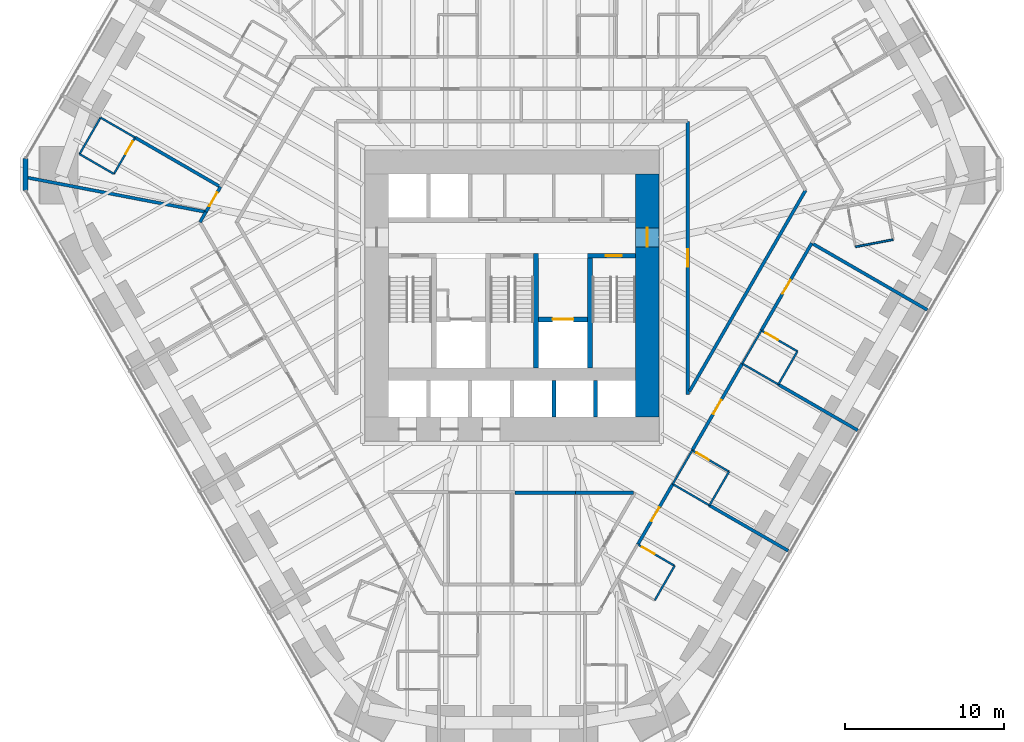
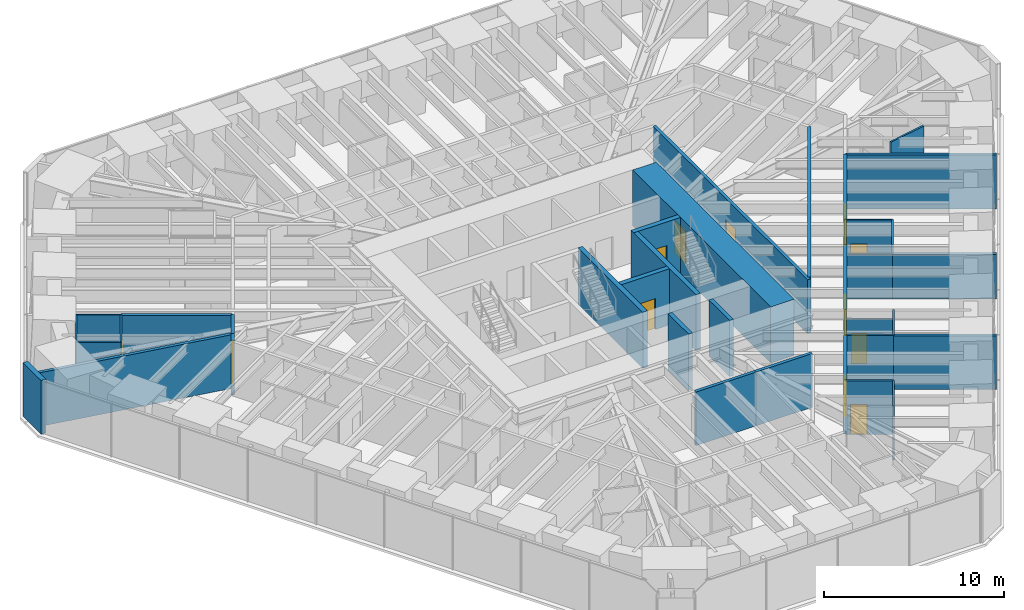
# One storey, part 13 of 17: 37 walls, 12 doors, 12 openings.
"""IFC4 building model written with IfcOpenShell, lengths in metres."""

from ifc_helpers import new_model, si_unit, direction, frame, frame_2d, origin, place, context, subcontext, project, spatial, rectangle, extrude, material, layer, layer_set, type_object, element, fill, save


model = new_model("IFC4")

# Units and contexts
model_context = context("Model", 3, precision=1e-05, world=origin(), true_north=direction((0.0, 1.0)))
body_context = subcontext(model_context, "Body", "Model", "MODEL_VIEW")
ifc_project = project(units=[si_unit("LENGTHUNIT", "METRE"), si_unit("AREAUNIT", "SQUARE_METRE"), si_unit("VOLUMEUNIT", "CUBIC_METRE"), si_unit("PLANEANGLEUNIT", "RADIAN"), si_unit("MASSUNIT", "GRAM", prefix="KILO")], contexts=[model_context])

# Site, building, storey
site_placement = place(None, origin())
site = spatial("IfcSite", under=ifc_project, at=site_placement, CompositionType="ELEMENT")
building_placement = place(site_placement, origin())
building = spatial("IfcBuilding", under=site, at=building_placement, Name="Sandreach Pilgrim Tower", CompositionType="ELEMENT")
storey_placement = place(building_placement, frame((0.0, 0.0, 61.0)))
storey = spatial("IfcBuildingStorey", under=building, at=storey_placement, Name="L14", CompositionType="ELEMENT", Elevation=61.0)

# Walls
ifc_material_1 = material(Name="Moisture-resistant gypsum board on steel studs", Category="steel")
ifc_layer_1 = layer(ifc_material_1, 0.1201171875)
ifc_layer_set_1 = layer_set([ifc_layer_1], Name="Bathroom partition 120")
wall_type_1 = type_object("IfcWallType", Name="Bathroom partition 120", PredefinedType="PARTITIONING", material=ifc_layer_set_1)
wall_1_placement = place(storey_placement, frame((-27.179931640625, 7.340087890625, 0.0), z_axis=(0.0, 0.0, 1.0), x_axis=(0.865508881864, -0.500893576935, 0.0)))
element("IfcWall", 1, at=wall_1_placement, inside=storey, type_object=wall_type_1, Name="Bathroom partition L14-003", PredefinedType="PARTITIONING", context=body_context, shape_type="SweptSolid", body=[
    extrude(rectangle(XDim=2.49560546875, YDim=0.1201171875, at=frame_2d((1.247802734375, 0.0))), origin(), (0.0, 0.0, 1.0), 3.639892578125),
])
wall_2_placement = place(storey_placement, frame((-25.860107421875, 9.6298828125, 0.0), z_axis=(0.0, 0.0, 1.0), x_axis=(-0.499378545839, -0.866383903334, 0.0)))
element("IfcWall", 2, at=wall_2_placement, inside=storey, type_object=wall_type_1, Name="Bathroom partition L14-004", PredefinedType="PARTITIONING", context=body_context, shape_type="SweptSolid", body=[
    extrude(rectangle(XDim=2.642822265625, YDim=0.1201171875, at=frame_2d((1.3212890625, 0.0))), origin(), (0.0, 0.0, 1.0), 3.639892578125),
])
wall_3_placement = place(storey_placement, frame((-25.860107421875, 9.6298828125, 0.0), z_axis=(0.0, 0.0, 1.0), x_axis=(0.86653430447, -0.499117520406, 0.0)))
element("IfcWall", 3, at=wall_3_placement, inside=storey, type_object=wall_type_1, Name="Bathroom partition L14-005", PredefinedType="PARTITIONING", context=body_context, shape_type="SweptSolid", body=[
    extrude(rectangle(XDim=2.50439453125, YDim=0.1201171875, at=frame_2d((1.252197265625, 0.0))), origin(), (0.0, 0.0, 1.0), 3.639892578125),
])

# Wall, opening, door
wall_4_placement = place(storey_placement, frame((-25.02001953125, 6.090087890625, 0.0), z_axis=(0.0, 0.0, 1.0), x_axis=(0.502282305835, 0.864703697948, 0.0)))
wall_4 = element("IfcWall", 4, at=wall_4_placement, inside=storey, type_object=wall_type_1, Name="Bathroom partition L14-006", PredefinedType="PARTITIONING", context=body_context, shape_type="SweptSolid", body=[
    extrude(rectangle(XDim=2.64794921875, YDim=0.1201171875, at=frame_2d((1.323974609375, 0.0))), origin(), (0.0, 0.0, 1.0), 3.639892578125),
])
opening_1_placement = place(wall_4_placement, frame((1.4482421875, 0.0, 0.0)))
opening_1 = element("IfcOpeningElement", 5, at=opening_1_placement, cuts=wall_4, Name="Opening D09-18B", PredefinedType="OPENING", context=body_context, shape_type="SweptSolid", body=[
    extrude(rectangle(XDim=0.89990234375, YDim=2.030029296875, at=frame_2d((0.449951171875, 1.01513671875))), frame((0.0, 0.06005859375, 0.0), z_axis=(0.0, -1.0, 0.0), x_axis=(1.0, 0.0, 0.0)), (0.0, 0.0, 1.0), 0.1201171875),
])
ifc_material_2 = material(Name="Timber door, steel frame", Category="steel")
door_type_1 = type_object("IfcDoorType", Name="Bathroom door", OperationType="SINGLE_SWING_LEFT", PredefinedType="DOOR", material=ifc_material_2)
door_1_placement = place(opening_1_placement, origin())
door_1 = element("IfcDoor", 6, at=door_1_placement, inside=storey, type_object=door_type_1, Name="Door 1418B", OperationType="SINGLE_SWING_RIGHT", OverallHeight=2.030029296875, OverallWidth=0.89990234375, PredefinedType="DOOR", context=body_context, shape_type="SweptSolid", body=[
    extrude(rectangle(XDim=0.89990234375, YDim=2.030029296875, at=frame_2d((0.449951171875, 1.01513671875))), frame((0.0, 0.02490234375, 0.0), z_axis=(0.0, -1.0, 0.0), x_axis=(1.0, 0.0, 0.0)), (0.0, 0.0, 1.0), 0.050048828125),
])
fill(opening_1, door_1)

# Walls
wall_5_placement = place(storey_placement, frame((8.969970703125, -20.7099609375, 0.0), z_axis=(0.0, 0.0, 1.0), x_axis=(0.499159685399, 0.866510016372, 0.0)))
element("IfcWall", 7, at=wall_5_placement, inside=storey, type_object=wall_type_1, Name="Bathroom partition L14-115", PredefinedType="PARTITIONING", context=body_context, shape_type="SweptSolid", body=[
    extrude(rectangle(XDim=2.504150390625, YDim=0.1201171875, at=frame_2d((1.251953125, 0.0))), origin(), (0.0, 0.0, 1.0), 3.639892578125),
])
wall_6_placement = place(storey_placement, frame((10.10009765625, -13.39990234375, 0.0), z_axis=(0.0, 0.0, 1.0), x_axis=(0.501856726365, 0.86495076519, 0.0)))
element("IfcWall", 8, at=wall_6_placement, inside=storey, type_object=wall_type_1, Name="Bathroom partition L14-121", PredefinedType="PARTITIONING", context=body_context, shape_type="SweptSolid", body=[
    extrude(rectangle(XDim=2.450927734375, YDim=0.1201171875, at=frame_2d((1.2255859375, 0.0))), origin(), (0.0, 0.0, 1.0), 3.639892578125),
])
wall_7_placement = place(storey_placement, frame((10.10009765625, -13.39990234375, 0.0), z_axis=(0.0, 0.0, 1.0), x_axis=(0.864966903181, -0.501828911485, 0.0)))
element("IfcWall", 9, at=wall_7_placement, inside=storey, type_object=wall_type_1, Name="Bathroom partition L14-122", PredefinedType="PARTITIONING", context=body_context, shape_type="SweptSolid", body=[
    extrude(rectangle(XDim=2.67041015625, YDim=0.1201171875, at=frame_2d((1.335205078125, 0.0))), origin(), (0.0, 0.0, 1.0), 3.639892578125),
])

# Wall, opening, door
wall_8_placement = place(storey_placement, frame((10.219970703125, -18.5400390625, 0.0), z_axis=(0.0, 0.0, 1.0), x_axis=(-0.86498992408, 0.501789229896, 0.0)))
wall_8 = element("IfcWall", 10, at=wall_8_placement, inside=storey, type_object=wall_type_1, Name="Bathroom partition L14-124", PredefinedType="PARTITIONING", context=body_context, shape_type="SweptSolid", body=[
    extrude(rectangle(XDim=2.670654296875, YDim=0.1201171875, at=frame_2d((1.33544921875, 0.0))), origin(), (0.0, 0.0, 1.0), 3.639892578125),
])
opening_2_placement = place(wall_8_placement, frame((1.470458984375, 0.0, 0.0)))
opening_2 = element("IfcOpeningElement", 11, at=opening_2_placement, cuts=wall_8, Name="Opening D09-10B", PredefinedType="OPENING", context=body_context, shape_type="SweptSolid", body=[
    extrude(rectangle(XDim=0.89990234375, YDim=2.030029296875, at=frame_2d((0.449951171875, 1.01513671875))), frame((0.0, 0.06005859375, 0.0), z_axis=(0.0, -1.0, 0.0), x_axis=(1.0, 0.0, 0.0)), (0.0, 0.0, 1.0), 0.1201171875),
])
door_2_placement = place(opening_2_placement, origin())
door_2 = element("IfcDoor", 12, at=door_2_placement, inside=storey, type_object=door_type_1, Name="Door 1410B", OperationType="SINGLE_SWING_RIGHT", OverallHeight=2.030029296875, OverallWidth=0.89990234375, PredefinedType="DOOR", context=body_context, shape_type="SweptSolid", body=[
    extrude(rectangle(XDim=0.89990234375, YDim=2.030029296875, at=frame_2d((0.449951171875, 1.01513671875))), frame((0.0, 0.02490234375, 0.0), z_axis=(0.0, -1.0, 0.0), x_axis=(1.0, 0.0, 0.0)), (0.0, 0.0, 1.0), 0.050048828125),
])
fill(opening_2, door_2)

# Wall
wall_9_placement = place(storey_placement, frame((12.409912109375, -14.739990234375, 0.0), z_axis=(0.0, 0.0, 1.0), x_axis=(0.501813488763, 0.864975850817, 0.0)))
element("IfcWall", 13, at=wall_9_placement, inside=storey, type_object=wall_type_1, Name="Bathroom partition L14-132", PredefinedType="PARTITIONING", context=body_context, shape_type="SweptSolid", body=[
    extrude(rectangle(XDim=2.451171875, YDim=0.1201171875, at=frame_2d((1.2255859375, 0.0))), origin(), (0.0, 0.0, 1.0), 3.639892578125),
])

# Wall, opening, door
wall_10_placement = place(storey_placement, frame((13.639892578125, -12.6201171875, 0.0), z_axis=(0.0, 0.0, 1.0), x_axis=(-0.864966903181, 0.501828911485, 0.0)))
wall_10 = element("IfcWall", 14, at=wall_10_placement, inside=storey, type_object=wall_type_1, Name="Bathroom partition L14-133", PredefinedType="PARTITIONING", context=body_context, shape_type="SweptSolid", body=[
    extrude(rectangle(XDim=2.67041015625, YDim=0.1201171875, at=frame_2d((1.335205078125, 0.0))), origin(), (0.0, 0.0, 1.0), 3.0380859375),
])
opening_3_placement = place(wall_10_placement, frame((1.470458984375, 0.0, 0.0)))
opening_3 = element("IfcOpeningElement", 15, at=opening_3_placement, cuts=wall_10, Name="Opening D09-09B", PredefinedType="OPENING", context=body_context, shape_type="SweptSolid", body=[
    extrude(rectangle(XDim=0.89990234375, YDim=2.030029296875, at=frame_2d((0.449951171875, 1.01513671875))), frame((0.0, 0.06005859375, 0.0), z_axis=(0.0, -1.0, 0.0), x_axis=(1.0, 0.0, 0.0)), (0.0, 0.0, 1.0), 0.1201171875),
])
door_3_placement = place(opening_3_placement, origin())
door_3 = element("IfcDoor", 16, at=door_3_placement, inside=storey, type_object=door_type_1, Name="Door 1409B", OperationType="SINGLE_SWING_RIGHT", OverallHeight=2.030029296875, OverallWidth=0.89990234375, PredefinedType="DOOR", context=body_context, shape_type="SweptSolid", body=[
    extrude(rectangle(XDim=0.89990234375, YDim=2.030029296875, at=frame_2d((0.449951171875, 1.01513671875))), frame((0.0, 0.02490234375, 0.0), z_axis=(0.0, -1.0, 0.0), x_axis=(1.0, 0.0, 0.0)), (0.0, 0.0, 1.0), 0.050048828125),
])
fill(opening_3, door_3)

# Walls
wall_11_placement = place(storey_placement, frame((14.469970703125, -5.830078125, 0.0), z_axis=(0.0, 0.0, 1.0), x_axis=(0.499693115345, 0.866202511239, 0.0)))
element("IfcWall", 17, at=wall_11_placement, inside=storey, type_object=wall_type_1, Name="Bathroom partition L14-134", PredefinedType="PARTITIONING", context=body_context, shape_type="SweptSolid", body=[
    extrude(rectangle(XDim=2.4013671875, YDim=0.1201171875, at=frame_2d((1.20068359375, 0.0))), origin(), (0.0, 0.0, 1.0), 3.639892578125),
])
wall_12_placement = place(storey_placement, frame((14.469970703125, -5.830078125, 0.0), z_axis=(0.0, 0.0, 1.0), x_axis=(0.866010296064, -0.500026166427, 0.0)))
element("IfcWall", 18, at=wall_12_placement, inside=storey, type_object=wall_type_1, Name="Bathroom partition L14-135", PredefinedType="PARTITIONING", context=body_context, shape_type="SweptSolid", body=[
    extrude(rectangle(XDim=2.620849609375, YDim=0.1201171875, at=frame_2d((1.310546875, 0.0))), origin(), (0.0, 0.0, 1.0), 3.022705078125),
])
wall_13_placement = place(storey_placement, frame((16.739990234375, -7.139892578125, 0.0), z_axis=(0.0, 0.0, 1.0), x_axis=(0.499737123639, 0.866177122335, 0.0)))
element("IfcWall", 19, at=wall_13_placement, inside=storey, type_object=wall_type_1, Name="Bathroom partition L14-141", PredefinedType="PARTITIONING", context=body_context, shape_type="SweptSolid", body=[
    extrude(rectangle(XDim=2.401123046875, YDim=0.1201171875, at=frame_2d((1.20068359375, 0.0))), origin(), (0.0, 0.0, 1.0), 3.639892578125),
])

# Wall, opening, door
wall_14_placement = place(storey_placement, frame((17.93994140625, -5.06005859375, 0.0), z_axis=(0.0, 0.0, 1.0), x_axis=(-0.866114241029, 0.499846097802, 0.0)))
wall_14 = element("IfcWall", 20, at=wall_14_placement, inside=storey, type_object=wall_type_1, Name="Bathroom partition L14-147", PredefinedType="PARTITIONING", context=body_context, shape_type="SweptSolid", body=[
    extrude(rectangle(XDim=2.620849609375, YDim=0.1201171875, at=frame_2d((1.310546875, 0.0))), origin(), (0.0, 0.0, 1.0), 3.639892578125),
])
opening_4_placement = place(wall_14_placement, frame((1.4208984375, 0.0, 0.0)))
opening_4 = element("IfcOpeningElement", 21, at=opening_4_placement, cuts=wall_14, Name="Opening D09-08B", PredefinedType="OPENING", context=body_context, shape_type="SweptSolid", body=[
    extrude(rectangle(XDim=0.89990234375, YDim=2.030029296875, at=frame_2d((0.449951171875, 1.01513671875))), frame((0.0, 0.06005859375, 0.0), z_axis=(0.0, -1.0, 0.0), x_axis=(1.0, 0.0, 0.0)), (0.0, 0.0, 1.0), 0.1201171875),
])
door_4_placement = place(opening_4_placement, origin())
door_4 = element("IfcDoor", 22, at=door_4_placement, inside=storey, type_object=door_type_1, Name="Door 1408B", OperationType="SINGLE_SWING_RIGHT", OverallHeight=2.030029296875, OverallWidth=0.89990234375, PredefinedType="DOOR", context=body_context, shape_type="SweptSolid", body=[
    extrude(rectangle(XDim=0.89990234375, YDim=2.030029296875, at=frame_2d((0.449951171875, 1.01513671875))), frame((0.0, 0.02490234375, 0.0), z_axis=(0.0, -1.0, 0.0), x_axis=(1.0, 0.0, 0.0)), (0.0, 0.0, 1.0), 0.050048828125),
])
fill(opening_4, door_4)

# Walls
wall_15_placement = place(storey_placement, frame((21.590087890625, 1.510009765625, 0.0), z_axis=(0.0, 0.0, 1.0), x_axis=(0.982303859288, 0.187294228499, 0.0)))
element("IfcWall", 23, at=wall_15_placement, inside=storey, type_object=wall_type_1, Name="Bathroom partition L14-159", PredefinedType="PARTITIONING", context=body_context, shape_type="SweptSolid", body=[
    extrude(rectangle(XDim=2.40234375, YDim=0.1201171875, at=frame_2d((1.201171875, 0.0))), origin(), (0.0, 0.0, 1.0), 3.639892578125),
])
ifc_material_3 = material(Name="Concrete 10000 psi", Category="concrete")
ifc_layer_2 = layer(ifc_material_3, 0.300048828125)
ifc_layer_set_2 = layer_set([ifc_layer_2], Name="Core inner wall 300")
wall_type_2 = type_object("IfcWallType", Name="Core inner wall 300", PredefinedType="SHEAR", material=ifc_layer_set_2)
for number, where, z_axis, x_axis, name in (
    (24, (1.5, -6.10009765625, 0.0), (0.0, 0.0, 1.0), (0.0, 1.0, 0.0), "Core wall I2 L14"),
    (25, (4.89990234375, -6.10009765625, 0.0), (0.0, 0.0, 1.0), (0.0, 1.0, 0.0), "Core wall I3 L14"),
):
    element("IfcWall", number, at=place(storey_placement, frame(where, z_axis=z_axis, x_axis=x_axis)), inside=storey, type_object=wall_type_2, Name=name, PredefinedType="SHEAR", context=body_context, shape_type="SweptSolid", body=[
        extrude(rectangle(XDim=7.2001953125, YDim=0.300048828125, at=frame_2d((3.60009765625, 0.0))), origin(), (0.0, 0.0, 1.0), 3.800048828125),
    ])

# Wall, opening, door
wall_16_placement = place(storey_placement, frame((4.75, 0.949951171875, 0.0), z_axis=(0.0, 0.0, 1.0), x_axis=(1.0, 0.0, 0.0)))
wall_16 = element("IfcWall", 26, at=wall_16_placement, inside=storey, type_object=wall_type_2, Name="Core wall SN2 L14", PredefinedType="SHEAR", context=body_context, shape_type="SweptSolid", body=[
    extrude(rectangle(XDim=3.0, YDim=0.300048828125, at=frame_2d((1.5, 0.0))), origin(), (0.0, 0.0, 1.0), 3.800048828125),
])
opening_5_placement = place(wall_16_placement, frame((1.14990234375, 0.0, 0.0)))
opening_5 = element("IfcOpeningElement", 27, at=opening_5_placement, cuts=wall_16, Name="Opening D10S-ST2", PredefinedType="OPENING", context=body_context, shape_type="SweptSolid", body=[
    extrude(rectangle(XDim=1.0, YDim=2.199951171875, at=frame_2d((0.5, 1.10009765625))), frame((0.0, 0.14990234375, 0.0), z_axis=(0.0, -1.0, 0.0), x_axis=(1.0, 0.0, 0.0)), (0.0, 0.0, 1.0), 0.300048828125),
])
ifc_material_4 = material(Name="Steel door and frame", Category="steel")
door_type_2 = type_object("IfcDoorType", Name="Stair door", OperationType="SINGLE_SWING_LEFT", PredefinedType="DOOR", material=ifc_material_4)
door_5_placement = place(opening_5_placement, origin())
door_5 = element("IfcDoor", 28, at=door_5_placement, inside=storey, type_object=door_type_2, Name="Stair door ST2 L14", OperationType="SINGLE_SWING_RIGHT", OverallHeight=2.199951171875, OverallWidth=1.0, PredefinedType="DOOR", context=body_context, shape_type="SweptSolid", body=[
    extrude(rectangle(XDim=1.0, YDim=2.199951171875, at=frame_2d((0.5, 1.10009765625))), frame((0.0, 0.02490234375, 0.0), z_axis=(0.0, -1.0, 0.0), x_axis=(1.0, 0.0, 0.0)), (0.0, 0.0, 1.0), 0.050048828125),
])
fill(opening_5, door_5)

wall_17_placement = place(storey_placement, frame((1.64990234375, -3.050048828125, 0.0), z_axis=(0.0, 0.0, 1.0), x_axis=(1.0, 0.0, 0.0)))
wall_17 = element("IfcWall", 29, at=wall_17_placement, inside=storey, type_object=wall_type_2, Name="Core wall FL2 L14", PredefinedType="SHEAR", context=body_context, shape_type="SweptSolid", body=[
    extrude(rectangle(XDim=3.10009765625, YDim=0.300048828125, at=frame_2d((1.550048828125, 0.0))), origin(), (0.0, 0.0, 1.0), 3.800048828125),
])
opening_6_placement = place(wall_17_placement, frame((0.89990234375, 0.0, 0.0)))
opening_6 = element("IfcOpeningElement", 30, at=opening_6_placement, cuts=wall_17, Name="Opening LD13", PredefinedType="OPENING", context=body_context, shape_type="SweptSolid", body=[
    extrude(rectangle(XDim=1.300048828125, YDim=2.10009765625, at=frame_2d((0.64990234375, 1.050048828125))), frame((0.0, 0.14990234375, 0.0), z_axis=(0.0, -1.0, 0.0), x_axis=(1.0, 0.0, 0.0)), (0.0, 0.0, 1.0), 0.300048828125),
])
ifc_material_5 = material(Name="Steel door and frame", Category="steel")
door_type_3 = type_object("IfcDoorType", Name="Fire service lift landing door", OperationType="DOUBLE_DOOR_SLIDING", PredefinedType="DOOR", material=ifc_material_5)
door_6_placement = place(opening_6_placement, origin())
door_6 = element("IfcDoor", 31, at=door_6_placement, inside=storey, type_object=door_type_3, Name="Lift landing door FS2 L14", OperationType="DOUBLE_DOOR_SLIDING", OverallHeight=2.10009765625, OverallWidth=1.300048828125, PredefinedType="DOOR", context=body_context, shape_type="SweptSolid", body=[
    extrude(rectangle(XDim=1.300048828125, YDim=2.10009765625, at=frame_2d((0.64990234375, 1.050048828125))), frame((0.0, 0.02490234375, 0.0), z_axis=(0.0, -1.0, 0.0), x_axis=(1.0, 0.0, 0.0)), (0.0, 0.0, 1.0), 0.050048828125),
])
fill(opening_6, door_6)

ifc_material_6 = material(Name="Concrete 10000 psi", Category="concrete")
ifc_layer_3 = layer(ifc_material_6, 1.5)
ifc_layer_set_3 = layer_set([ifc_layer_3], Name="Core wall 1500")
wall_type_3 = type_object("IfcWallType", Name="Core wall 1500", PredefinedType="SHEAR", material=ifc_layer_set_3)
wall_18_placement = place(storey_placement, frame((8.5, -9.199951171875, 0.0), z_axis=(0.0, 0.0, 1.0), x_axis=(0.0, 1.0, 0.0)))
wall_18 = element("IfcWall", 32, at=wall_18_placement, inside=storey, type_object=wall_type_3, Name="Core wall E L14", PredefinedType="SHEAR", context=body_context, shape_type="SweptSolid", body=[
    extrude(rectangle(XDim=15.300048828125, YDim=1.5, at=frame_2d((7.64990234375, 0.0))), origin(), (0.0, 0.0, 1.0), 3.800048828125),
])
opening_7_placement = place(wall_18_placement, frame((10.699951171875, 0.0, 0.0)))
opening_7 = element("IfcOpeningElement", 33, at=opening_7_placement, cuts=wall_18, Name="Opening D12F-E", PredefinedType="OPENING", context=body_context, shape_type="SweptSolid", body=[
    extrude(rectangle(XDim=1.199951171875, YDim=2.199951171875, at=frame_2d((0.60009765625, 1.10009765625))), frame((0.0, 0.75, 0.0), z_axis=(0.0, -1.0, 0.0), x_axis=(1.0, 0.0, 0.0)), (0.0, 0.0, 1.0), 1.5),
])
ifc_material_7 = material(Name="Steel door and frame", Category="steel")
door_type_4 = type_object("IfcDoorType", Name="Fire lobby door", OperationType="SINGLE_SWING_LEFT", PredefinedType="DOOR", material=ifc_material_7)
door_7_placement = place(opening_7_placement, origin())
door_7 = element("IfcDoor", 34, at=door_7_placement, inside=storey, type_object=door_type_4, Name="Fire service lobby door E L14", OperationType="SINGLE_SWING_RIGHT", OverallHeight=2.199951171875, OverallWidth=1.199951171875, PredefinedType="DOOR", context=body_context, shape_type="SweptSolid", body=[
    extrude(rectangle(XDim=1.199951171875, YDim=2.199951171875, at=frame_2d((0.60009765625, 1.10009765625))), frame((0.0, 0.02490234375, 0.0), z_axis=(0.0, -1.0, 0.0), x_axis=(1.0, 0.0, 0.0)), (0.0, 0.0, 1.0), 0.050048828125),
])
fill(opening_7, door_7)

# Wall
ifc_material_8 = material(Name="Gypsum board on steel studs, two layers each side", Category="steel")
ifc_layer_4 = layer(ifc_material_8, 0.199951171875)
ifc_layer_set_4 = layer_set([ifc_layer_4], Name="Corridor wall 200")
wall_type_4 = type_object("IfcWallType", Name="Corridor wall 200", PredefinedType="PARTITIONING", material=ifc_layer_set_4)
wall_19_placement = place(storey_placement, frame((-19.610107421875, 3.06005859375, 0.0), z_axis=(0.0, 0.0, 1.0), x_axis=(0.50068472101, 0.865629718844, 0.0)))
element("IfcWall", 35, at=wall_19_placement, inside=storey, type_object=wall_type_4, Name="Corridor wall L14-012", PredefinedType="PARTITIONING", context=body_context, shape_type="SweptSolid", body=[
    extrude(rectangle(XDim=0.7392578125, YDim=0.199951171875, at=frame_2d((0.36962890625, 0.0))), origin(), (0.0, 0.0, 1.0), 3.639892578125),
])

# Wall, opening, door
wall_20_placement = place(storey_placement, frame((-18.320068359375, 5.280029296875, 0.0), z_axis=(0.0, 0.0, 1.0), x_axis=(-0.503140236709, -0.864204780249, 0.0)))
wall_20 = element("IfcWall", 36, at=wall_20_placement, inside=storey, type_object=wall_type_4, Name="Corridor wall L14-018", PredefinedType="PARTITIONING", context=body_context, shape_type="SweptSolid", body=[
    extrude(rectangle(XDim=1.828369140625, YDim=0.199951171875, at=frame_2d((0.9140625, 0.0))), origin(), (0.0, 0.0, 1.0), 3.639892578125),
])
opening_8_placement = place(wall_20_placement, frame((0.4140625, 0.0, 0.0)))
opening_8 = element("IfcOpeningElement", 37, at=opening_8_placement, cuts=wall_20, Name="Opening D10-18", PredefinedType="OPENING", context=body_context, shape_type="SweptSolid", body=[
    extrude(rectangle(XDim=1.0, YDim=2.1298828125, at=frame_2d((0.5, 1.06494140625))), frame((0.0, 0.10009765625, 0.0), z_axis=(0.0, -1.0, 0.0), x_axis=(1.0, 0.0, 0.0)), (0.0, 0.0, 1.0), 0.199951171875),
])
ifc_material_9 = material(Name="Steel door and frame", Category="steel")
door_type_5 = type_object("IfcDoorType", Name="Guest room entry door", OperationType="SINGLE_SWING_LEFT", PredefinedType="DOOR", material=ifc_material_9)
door_8_placement = place(opening_8_placement, origin())
door_8 = element("IfcDoor", 38, at=door_8_placement, inside=storey, type_object=door_type_5, Name="Door 1418", OperationType="SINGLE_SWING_LEFT", OverallHeight=2.1298828125, OverallWidth=1.0, PredefinedType="DOOR", context=body_context, shape_type="SweptSolid", body=[
    extrude(rectangle(XDim=1.0, YDim=2.1298828125, at=frame_2d((0.5, 1.06494140625))), frame((0.0, 0.02490234375, 0.0), z_axis=(0.0, -1.0, 0.0), x_axis=(1.0, 0.0, 0.0)), (0.0, 0.0, 1.0), 0.050048828125),
])
fill(opening_8, door_8)

# Walls
wall_21_placement = place(storey_placement, frame((0.179931640625, -13.949951171875, 0.0), z_axis=(0.0, 0.0, 1.0), x_axis=(1.0, 0.0, 0.0)))
element("IfcWall", 39, at=wall_21_placement, inside=storey, type_object=wall_type_4, Name="Corridor wall L14-087", PredefinedType="PARTITIONING", context=body_context, shape_type="SweptSolid", body=[
    extrude(rectangle(XDim=3.820068359375, YDim=0.199951171875, at=frame_2d((1.91015625, 0.0))), origin(), (0.0, 0.0, 1.0), 3.639892578125),
])
wall_22_placement = place(storey_placement, frame((4.0, -13.949951171875, 0.0), z_axis=(0.0, 0.0, 1.0), x_axis=(1.0, 0.0, 0.0)))
element("IfcWall", 40, at=wall_22_placement, inside=storey, type_object=wall_type_4, Name="Corridor wall L14-094", PredefinedType="PARTITIONING", context=body_context, shape_type="SweptSolid", body=[
    extrude(rectangle(XDim=3.635009765625, YDim=0.199951171875, at=frame_2d((1.8173828125, 0.0))), origin(), (0.0, 0.0, 1.0), 3.639892578125),
])

# Wall, opening, door
wall_23_placement = place(storey_placement, frame((7.908203125, -17.198974609375, 0.0), z_axis=(0.0, 0.0, 1.0), x_axis=(0.49974333473, 0.866173538844, 0.0)))
wall_23 = element("IfcWall", 41, at=wall_23_placement, inside=storey, type_object=wall_type_4, Name="Corridor wall L14-114", PredefinedType="PARTITIONING", context=body_context, shape_type="SweptSolid", body=[
    extrude(rectangle(XDim=4.385986328125, YDim=0.199951171875, at=frame_2d((2.19287109375, 0.0))), origin(), (0.0, 0.0, 1.0), 3.639892578125),
])
opening_9_placement = place(wall_23_placement, frame((1.69287109375, 0.0, 0.0)))
opening_9 = element("IfcOpeningElement", 42, at=opening_9_placement, cuts=wall_23, Name="Opening D10-10", PredefinedType="OPENING", context=body_context, shape_type="SweptSolid", body=[
    extrude(rectangle(XDim=1.0, YDim=2.1298828125, at=frame_2d((0.5, 1.06494140625))), frame((0.0, 0.10009765625, 0.0), z_axis=(0.0, -1.0, 0.0), x_axis=(1.0, 0.0, 0.0)), (0.0, 0.0, 1.0), 0.199951171875),
])
door_9_placement = place(opening_9_placement, origin())
door_9 = element("IfcDoor", 43, at=door_9_placement, inside=storey, type_object=door_type_5, Name="Door 1410", OperationType="SINGLE_SWING_LEFT", OverallHeight=2.1298828125, OverallWidth=1.0, PredefinedType="DOOR", context=body_context, shape_type="SweptSolid", body=[
    extrude(rectangle(XDim=1.0, YDim=2.1298828125, at=frame_2d((0.5, 1.06494140625))), frame((0.0, 0.02490234375, 0.0), z_axis=(0.0, -1.0, 0.0), x_axis=(1.0, 0.0, 0.0)), (0.0, 0.0, 1.0), 0.050048828125),
])
fill(opening_9, door_9)

wall_24_placement = place(storey_placement, frame((11.050048828125, -7.760009765625, 0.0), z_axis=(0.0, 0.0, 1.0), x_axis=(0.0, 1.0, 0.0)))
wall_24 = element("IfcWall", 44, at=wall_24_placement, inside=storey, type_object=wall_type_4, Name="Corridor wall L14-126", PredefinedType="PARTITIONING", context=body_context, shape_type="SweptSolid", body=[
    extrude(rectangle(XDim=17.159912109375, YDim=0.199951171875, at=frame_2d((8.580078125, 0.0))), origin(), (0.0, 0.0, 1.0), 3.639892578125),
])
opening_10_placement = place(wall_24_placement, frame((8.030029296875, 0.0, 0.0)))
opening_10 = element("IfcOpeningElement", 45, at=opening_10_placement, cuts=wall_24, Name="Opening D11H-M04", PredefinedType="OPENING", context=body_context, shape_type="SweptSolid", body=[
    extrude(rectangle(XDim=1.10009765625, YDim=2.199951171875, at=frame_2d((0.550048828125, 1.10009765625))), frame((0.0, 0.10009765625, 0.0), z_axis=(0.0, -1.0, 0.0), x_axis=(1.0, 0.0, 0.0)), (0.0, 0.0, 1.0), 0.199951171875),
])
ifc_material_10 = material(Name="Steel door and frame", Category="steel")
door_type_6 = type_object("IfcDoorType", Name="Back of house door", OperationType="SINGLE_SWING_LEFT", PredefinedType="DOOR", material=ifc_material_10)
door_10_placement = place(opening_10_placement, origin())
door_10 = element("IfcDoor", 46, at=door_10_placement, inside=storey, type_object=door_type_6, Name="Door 14M04", OperationType="SINGLE_SWING_LEFT", OverallHeight=2.199951171875, OverallWidth=1.10009765625, PredefinedType="DOOR", context=body_context, shape_type="SweptSolid", body=[
    extrude(rectangle(XDim=1.10009765625, YDim=2.199951171875, at=frame_2d((0.550048828125, 1.10009765625))), frame((0.0, 0.02490234375, 0.0), z_axis=(0.0, -1.0, 0.0), x_axis=(1.0, 0.0, 0.0)), (0.0, 0.0, 1.0), 0.050048828125),
])
fill(opening_10, door_10)

wall_25_placement = place(storey_placement, frame((11.327880859375, -11.27880859375, 0.0), z_axis=(0.0, 0.0, 1.0), x_axis=(0.499554430625, 0.866282500598, 0.0)))
wall_25 = element("IfcWall", 47, at=wall_25_placement, inside=storey, type_object=wall_type_4, Name="Corridor wall L14-127", PredefinedType="PARTITIONING", context=body_context, shape_type="SweptSolid", body=[
    extrude(rectangle(XDim=6.289794921875, YDim=0.199951171875, at=frame_2d((3.14501953125, 0.0))), origin(), (0.0, 0.0, 1.0), 3.639892578125),
])
opening_11_placement = place(wall_25_placement, frame((2.64501953125, 0.0, 0.0)))
opening_11 = element("IfcOpeningElement", 48, at=opening_11_placement, cuts=wall_25, Name="Opening D10-09", PredefinedType="OPENING", context=body_context, shape_type="SweptSolid", body=[
    extrude(rectangle(XDim=1.0, YDim=2.1298828125, at=frame_2d((0.5, 1.06494140625))), frame((0.0, 0.10009765625, 0.0), z_axis=(0.0, -1.0, 0.0), x_axis=(1.0, 0.0, 0.0)), (0.0, 0.0, 1.0), 0.199951171875),
])
door_11_placement = place(opening_11_placement, origin())
door_11 = element("IfcDoor", 49, at=door_11_placement, inside=storey, type_object=door_type_5, Name="Door 1409", OperationType="SINGLE_SWING_LEFT", OverallHeight=2.1298828125, OverallWidth=1.0, PredefinedType="DOOR", context=body_context, shape_type="SweptSolid", body=[
    extrude(rectangle(XDim=1.0, YDim=2.1298828125, at=frame_2d((0.5, 1.06494140625))), frame((0.0, 0.02490234375, 0.0), z_axis=(0.0, -1.0, 0.0), x_axis=(1.0, 0.0, 0.0)), (0.0, 0.0, 1.0), 0.050048828125),
])
fill(opening_11, door_11)

wall_26_placement = place(storey_placement, frame((15.669921875, -3.75, 0.0), z_axis=(0.0, 0.0, 1.0), x_axis=(0.500061360627, 0.865989974311, 0.0)))
wall_26 = element("IfcWall", 50, at=wall_26_placement, inside=storey, type_object=wall_type_4, Name="Corridor wall L14-137", PredefinedType="PARTITIONING", context=body_context, shape_type="SweptSolid", body=[
    extrude(rectangle(XDim=6.339599609375, YDim=0.199951171875, at=frame_2d((3.169921875, 0.0))), origin(), (0.0, 0.0, 1.0), 3.639892578125),
])
opening_12_placement = place(wall_26_placement, frame((2.669921875, 0.0, 0.0)))
opening_12 = element("IfcOpeningElement", 51, at=opening_12_placement, cuts=wall_26, Name="Opening D10-08", PredefinedType="OPENING", context=body_context, shape_type="SweptSolid", body=[
    extrude(rectangle(XDim=1.0, YDim=2.1298828125, at=frame_2d((0.5, 1.06494140625))), frame((0.0, 0.10009765625, 0.0), z_axis=(0.0, -1.0, 0.0), x_axis=(1.0, 0.0, 0.0)), (0.0, 0.0, 1.0), 0.199951171875),
])
door_12_placement = place(opening_12_placement, origin())
door_12 = element("IfcDoor", 52, at=door_12_placement, inside=storey, type_object=door_type_5, Name="Door 1408", OperationType="SINGLE_SWING_LEFT", OverallHeight=2.1298828125, OverallWidth=1.0, PredefinedType="DOOR", context=body_context, shape_type="SweptSolid", body=[
    extrude(rectangle(XDim=1.0, YDim=2.1298828125, at=frame_2d((0.5, 1.06494140625))), frame((0.0, 0.02490234375, 0.0), z_axis=(0.0, -1.0, 0.0), x_axis=(1.0, 0.0, 0.0)), (0.0, 0.0, 1.0), 0.050048828125),
])
fill(opening_12, door_12)

# Walls
wall_27_placement = place(storey_placement, frame((18.449951171875, 5.06005859375, 0.0), z_axis=(0.0, 0.0, 1.0), x_axis=(-0.499910730718, -0.866076937294, 0.0)))
element("IfcWall", 53, at=wall_27_placement, inside=storey, type_object=wall_type_4, Name="Corridor wall L14-148", PredefinedType="PARTITIONING", context=body_context, shape_type="SweptSolid", body=[
    extrude(rectangle(XDim=14.592529296875, YDim=0.199951171875, at=frame_2d((7.29638671875, 0.0))), origin(), (0.0, 0.0, 1.0), 3.639892578125),
])
ifc_material_11 = material(Name="Double steel stud acoustic wall, gypsum board", Category="steel")
ifc_layer_5 = layer(ifc_material_11, 0.199951171875)
ifc_layer_set_5 = layer_set([ifc_layer_5], Name="Party wall 200")
wall_type_5 = type_object("IfcWallType", Name="Party wall 200", PredefinedType="PARTITIONING", material=ifc_layer_set_5)
wall_28_placement = place(storey_placement, frame((-30.590576171875, 5.88427734375, 0.0), z_axis=(0.0, 0.0, 1.0), x_axis=(0.981983289605, -0.188967772219, 0.0)))
element("IfcWall", 54, at=wall_28_placement, inside=storey, type_object=wall_type_5, Name="Party wall L14-001", PredefinedType="PARTITIONING", context=body_context, shape_type="SweptSolid", body=[
    extrude(rectangle(XDim=11.5087890625, YDim=0.199951171875, at=frame_2d((5.75439453125, 0.0))), origin(), (0.0, 0.0, 1.0), 3.639892578125),
])
wall_29_placement = place(storey_placement, frame((-23.68994140625, 8.3798828125, 0.0), z_axis=(0.0, 0.0, 1.0), x_axis=(0.865658018331, -0.500635791068, 0.0)))
element("IfcWall", 55, at=wall_29_placement, inside=storey, type_object=wall_type_5, Name="Party wall L14-009", PredefinedType="PARTITIONING", context=body_context, shape_type="SweptSolid", body=[
    extrude(rectangle(XDim=6.1767578125, YDim=0.199951171875, at=frame_2d((3.08837890625, 0.0))), origin(), (0.0, 0.0, 1.0), 3.639892578125),
])
wall_30_placement = place(storey_placement, frame((16.73974609375, -7.140625, 0.0), z_axis=(0.0, 0.0, 1.0), x_axis=(0.865985044037, -0.500069898618, 0.0)))
element("IfcWall", 56, at=wall_30_placement, inside=storey, type_object=wall_type_5, Name="Party wall L14-140", PredefinedType="PARTITIONING", context=body_context, shape_type="SweptSolid", body=[
    extrude(rectangle(XDim=5.758056640625, YDim=0.199951171875, at=frame_2d((2.87890625, 0.0))), origin(), (0.0, 0.0, 1.0), 3.022705078125),
])
wall_31_placement = place(storey_placement, frame((17.35595703125, -17.590087890625, 0.0), z_axis=(0.0, 0.0, 1.0), x_axis=(-0.866442508333, 0.499276856818, 0.0)))
element("IfcWall", 57, at=wall_31_placement, inside=storey, type_object=wall_type_5, Name="Party wall L14-142", PredefinedType="PARTITIONING", context=body_context, shape_type="SweptSolid", body=[
    extrude(rectangle(XDim=5.70849609375, YDim=0.199951171875, at=frame_2d((2.854248046875, 0.0))), origin(), (0.0, 0.0, 1.0), 3.639892578125),
])
wall_32_placement = place(storey_placement, frame((26.09619140625, -2.449951171875, 0.0), z_axis=(0.0, 0.0, 1.0), x_axis=(-0.865997946826, 0.500047553832, 0.0)))
element("IfcWall", 58, at=wall_32_placement, inside=storey, type_object=wall_type_5, Name="Party wall L14-165", PredefinedType="PARTITIONING", context=body_context, shape_type="SweptSolid", body=[
    extrude(rectangle(XDim=8.364013671875, YDim=0.199951171875, at=frame_2d((4.18212890625, 0.0))), origin(), (0.0, 0.0, 1.0), 3.639892578125),
])
ifc_material_12 = material(Name="Gypsum shaft wall on steel studs, two layers of shaft liner board", Category="steel")
ifc_layer_6 = layer(ifc_material_12, 0.25)
ifc_layer_set_6 = layer_set([ifc_layer_6], Name="Shaft partition 250")
wall_type_6 = type_object("IfcWallType", Name="Shaft partition 250", PredefinedType="PARTITIONING", material=ifc_layer_set_6)
for number, where, z_axis, x_axis, name in (
    (59, (2.625, -9.199951171875, 0.0), (0.0, 0.0, 1.0), (0.0, 1.0, 0.0), "Shaft partition XS3 L14"),
    (60, (5.25, -9.199951171875, 0.0), (0.0, 0.0, 1.0), (0.0, 1.0, 0.0), "Shaft partition XS4 L14"),
):
    element("IfcWall", number, at=place(storey_placement, frame(where, z_axis=z_axis, x_axis=x_axis)), inside=storey, type_object=wall_type_6, Name=name, PredefinedType="PARTITIONING", context=body_context, shape_type="SweptSolid", body=[
        extrude(rectangle(XDim=2.300048828125, YDim=0.25, at=frame_2d((1.14990234375, 0.0))), origin(), (0.0, 0.0, 1.0), 3.800048828125),
    ])
ifc_material_13 = material(Name="Terracotta rainscreen on concrete", Category="masonry")
ifc_layer_7 = layer(ifc_material_13, 0.300048828125)
ifc_layer_set_7 = layer_set([ifc_layer_7], Name="Terracotta chamfer pier")
wall_type_7 = type_object("IfcWallType", Name="Terracotta chamfer pier", PredefinedType="SOLIDWALL", material=ifc_layer_set_7)
wall_33_placement = place(storey_placement, frame((-30.576171875, 5.062255859375, 0.0), z_axis=(0.0, 0.0, 1.0), x_axis=(0.0, 1.0, 0.0)))
element("IfcWall", 61, at=wall_33_placement, inside=storey, type_object=wall_type_7, Name="Chamfer pier L14 SW", PredefinedType="SOLIDWALL", context=body_context, shape_type="SweptSolid", body=[
    extrude(rectangle(XDim=2.0, YDim=0.300048828125, at=frame_2d((1.0, 0.0))), origin(), (0.0, 0.0, 1.0), 3.639892578125),
])

save(model, "model.ifc")
